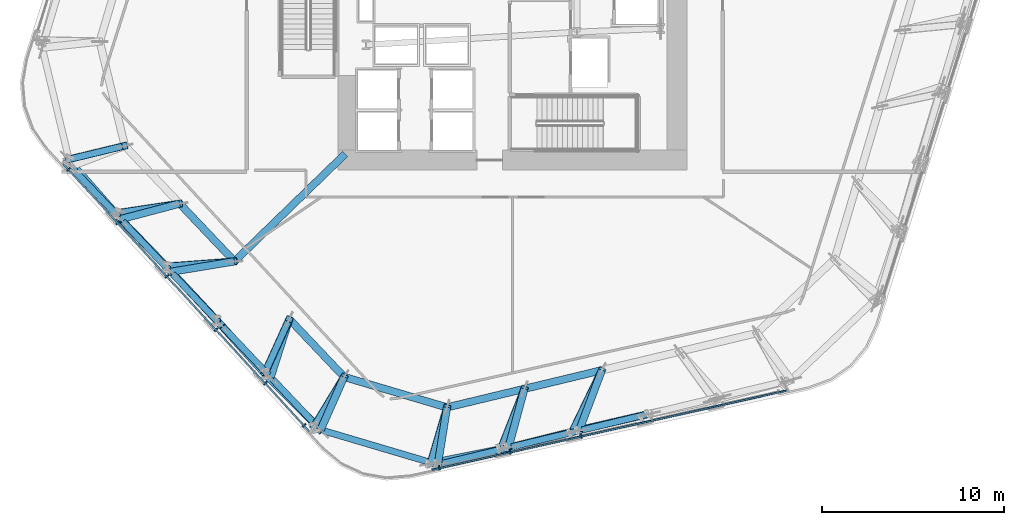
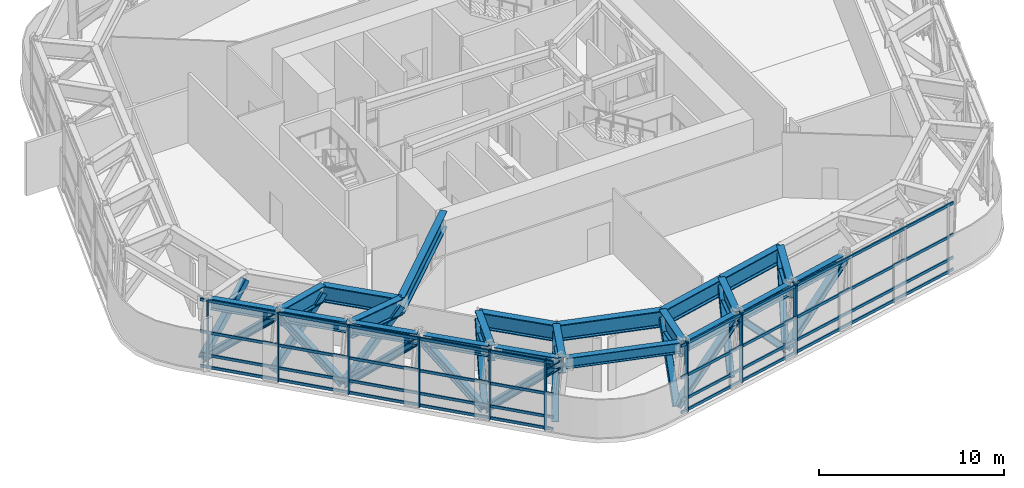
# One storey, part 2 of 16: 33 members, 22 beams, 2 elements without a shape of their own.
"""IFC4 building model written with IfcOpenShell, lengths in metres."""

from ifc_helpers import new_model, si_unit, direction, frame, origin, origin_2d, place, context, subcontext, project, spatial, rectangle, hollow_rectangle, i_section, extrude, material, layer, layer_set, material_profile, profile_set, type_object, element, aggregate, save


model = new_model("IFC4")

# Units and contexts
model_context = context("Model", 3, precision=1e-05, world=origin(), true_north=direction((0.0, 1.0)))
body_context = subcontext(model_context, "Body", "Model", "MODEL_VIEW")
ifc_project = project(units=[si_unit("LENGTHUNIT", "METRE"), si_unit("AREAUNIT", "SQUARE_METRE"), si_unit("VOLUMEUNIT", "CUBIC_METRE"), si_unit("PLANEANGLEUNIT", "RADIAN"), si_unit("MASSUNIT", "GRAM", prefix="KILO")], contexts=[model_context])

# Site, building, storey
site_placement = place(None, origin())
site = spatial("IfcSite", under=ifc_project, at=site_placement, CompositionType="ELEMENT")
building_placement = place(site_placement, origin())
building = spatial("IfcBuilding", under=site, at=building_placement, Name="Valkerne Bourse Tower", CompositionType="ELEMENT")
storey_placement = place(building_placement, frame((0.0, 0.0, 77.199951171875)))
storey = spatial("IfcBuildingStorey", under=building, at=storey_placement, Name="L19", CompositionType="ELEMENT", Elevation=77.199951171875)

# Beams
ifc_material_1 = material(Name="Steel ASTM A992", Category="steel")
ifc_material_profile_1 = material_profile(ifc_material_1, i_section(OverallWidth=0.358154296875, OverallDepth=0.7060546875, WebThickness=0.018310546875, FlangeThickness=0.0302734375, FilletRadius=0.02294921875, at=origin_2d()), Name="W27X178")
ifc_profile_set_1 = profile_set([ifc_material_profile_1], Name="Steel ASTM A992")
beam_type_1 = type_object("IfcBeamType", Name="BM-W27X178", PredefinedType="SPANDREL", material=ifc_profile_set_1)
beam_1_placement = place(storey_placement, frame((22.60791015625, 17.58056640625, 4.22705078125), z_axis=(0.68836855584, -0.725361104093, 0.0), x_axis=(0.725361104093, 0.68836855584, 0.0)))
element("IfcBeam", 1, at=beam_1_placement, inside=storey, type_object=beam_type_1, Name="L19 Hexagonal Spandrel Ring Beam 18", PredefinedType="SPANDREL", context=body_context, shape_type="SweptSolid", body=[
    extrude(i_section(OverallWidth=0.358154296875, OverallDepth=0.7060546875, WebThickness=0.018310546875, FlangeThickness=0.0302734375, FilletRadius=0.02294921875, at=origin_2d()), origin(), (0.0, 0.0, 1.0), 3.65625),
])
for number, where, z_axis, x_axis, name in (
    (2, (25.358642578125, 14.681884765625, 4.22705078125), (0.688333420598, -0.725394445863, 0.0), (0.725394445863, 0.688333420598, 0.0), "L19 Hexagonal Spandrel Ring Beam 19"),
    (3, (28.109375, 11.783203125, 4.22705078125), (0.688366763937, -0.725362804607, 0.0), (0.725362804607, 0.688366763937, 0.0), "L19 Hexagonal Spandrel Ring Beam 20"),
    (4, (30.860107421875, 8.884765625, 4.22705078125), (0.688333420598, -0.725394445863, 0.0), (0.725394445863, 0.688333420598, 0.0), "L19 Hexagonal Spandrel Ring Beam 21"),
    (5, (33.610595703125, 5.986083984375, 4.22705078125), (0.688333420598, -0.725394445863, 0.0), (0.725394445863, 0.688333420598, 0.0), "L19 Hexagonal Spandrel Ring Beam 22"),
):
    element("IfcBeam", number, at=place(storey_placement, frame(where, z_axis=z_axis, x_axis=x_axis)), inside=storey, type_object=beam_type_1, Name=name, PredefinedType="SPANDREL", context=body_context, shape_type="SweptSolid", body=[
        extrude(i_section(OverallWidth=0.358154296875, OverallDepth=0.7060546875, WebThickness=0.018310546875, FlangeThickness=0.0302734375, FilletRadius=0.02294921875, at=origin_2d()), origin(), (0.0, 0.0, 1.0), 3.656005859375),
    ])
beam_2_placement = place(storey_placement, frame((36.4072265625, 3.16259765625, 4.22705078125), z_axis=(0.958815458108, -0.284029782405, 0.0), x_axis=(0.284029782405, 0.958815458108, 0.0)))
element("IfcBeam", 6, at=beam_2_placement, inside=storey, type_object=beam_type_1, Name="L19 Hexagonal Spandrel Ring Beam 23", PredefinedType="SPANDREL", context=body_context, shape_type="SweptSolid", body=[
    extrude(i_section(OverallWidth=0.358154296875, OverallDepth=0.7060546875, WebThickness=0.018310546875, FlangeThickness=0.0302734375, FilletRadius=0.02294921875, at=origin_2d()), origin(), (0.0, 0.0, 1.0), 6.38916015625),
])
for number, where, z_axis, x_axis, name in (
    (7, (42.861572265625, 1.33935546875, 4.22705078125), (0.972366688683, 0.233458824506, 0.0), (-0.233458824506, 0.972366688683, 0.0), "L19 Hexagonal Spandrel Ring Beam 24"),
    (8, (46.7470703125, 2.272216796875, 4.22705078125), (0.972366688683, 0.233458824506, 0.0), (-0.233458824506, 0.972366688683, 0.0), "L19 Hexagonal Spandrel Ring Beam 25"),
    (9, (50.6328125, 3.205078125, 4.22705078125), (0.972366688683, 0.233458824506, 0.0), (-0.233458824506, 0.972366688683, 0.0), "L19 Hexagonal Spandrel Ring Beam 26"),
):
    element("IfcBeam", number, at=place(storey_placement, frame(where, z_axis=z_axis, x_axis=x_axis)), inside=storey, type_object=beam_type_1, Name=name, PredefinedType="SPANDREL", context=body_context, shape_type="SweptSolid", body=[
        extrude(i_section(OverallWidth=0.358154296875, OverallDepth=0.7060546875, WebThickness=0.018310546875, FlangeThickness=0.0302734375, FilletRadius=0.02294921875, at=origin_2d()), origin(), (0.0, 0.0, 1.0), 3.656005859375),
    ])
ifc_material_2 = material(Name="Steel ASTM A913 Grade 65", Category="steel")
ifc_material_profile_2 = material_profile(ifc_material_2, i_section(OverallWidth=0.408935546875, OverallDepth=1.06689453125, WebThickness=0.031005859375, FlangeThickness=0.055908203125, FilletRadius=0.030517578125, at=origin_2d()), Name="W40X397")
ifc_profile_set_2 = profile_set([ifc_material_profile_2], Name="Steel ASTM A913 Grade 65")
beam_type_2 = type_object("IfcBeamType", Name="BM-W40X397", PredefinedType="BEAM", material=ifc_profile_set_2)
beam_3_placement = place(storey_placement, frame((25.24169921875, 14.80517578125, 4.046630859375), z_axis=(0.966744906892, 0.255742614749, 0.0), x_axis=(-0.255742614749, 0.966744906892, 0.0)))
element("IfcBeam", 10, at=beam_3_placement, inside=storey, type_object=beam_type_2, Name="L19 Radial Setback Transfer Girder Out 16", PredefinedType="BEAM", context=body_context, shape_type="SweptSolid", body=[
    extrude(i_section(OverallWidth=0.408935546875, OverallDepth=1.06689453125, WebThickness=0.031005859375, FlangeThickness=0.055908203125, FilletRadius=0.030517578125, at=origin_2d()), origin(), (0.0, 0.0, 1.0), 3.3564453125),
])
beam_4_placement = place(storey_placement, frame((28.486572265625, 15.66357421875, 4.046630859375), z_axis=(0.68831455192, -0.725412350057, 0.0), x_axis=(0.725412350057, 0.68831455192, 0.0)))
element("IfcBeam", 11, at=beam_4_placement, inside=storey, type_object=beam_type_2, Name="L19 Setback Ring Transfer Girder 16", PredefinedType="BEAM", context=body_context, shape_type="SweptSolid", body=[
    extrude(i_section(OverallWidth=0.408935546875, OverallDepth=1.06689453125, WebThickness=0.031005859375, FlangeThickness=0.055908203125, FilletRadius=0.030517578125, at=origin_2d()), origin(), (0.0, 0.0, 1.0), 4.383056640625),
])
beam_5_placement = place(storey_placement, frame((27.9921875, 11.906494140625, 4.046630859375), z_axis=(0.986736653088, 0.162329225505, 0.0), x_axis=(-0.162329225505, 0.986736653088, 0.0)))
element("IfcBeam", 12, at=beam_5_placement, inside=storey, type_object=beam_type_2, Name="L19 Radial Setback Transfer Girder Out 17", PredefinedType="BEAM", context=body_context, shape_type="SweptSolid", body=[
    extrude(i_section(OverallWidth=0.408935546875, OverallDepth=1.06689453125, WebThickness=0.031005859375, FlangeThickness=0.055908203125, FilletRadius=0.030517578125, at=origin_2d()), origin(), (0.0, 0.0, 1.0), 3.558349609375),
])
beam_6_placement = place(storey_placement, frame((31.50341796875, 12.484130859375, 4.046630859375), z_axis=(0.717674468256, 0.696378745808, 0.0), x_axis=(-0.696378745808, 0.717674468256, 0.0)))
element("IfcBeam", 13, at=beam_6_placement, inside=storey, type_object=beam_type_2, Name="L19 Radial Setback Transfer Girder In 17", PredefinedType="BEAM", context=body_context, shape_type="SweptSolid", body=[
    extrude(i_section(OverallWidth=0.408935546875, OverallDepth=1.06689453125, WebThickness=0.031005859375, FlangeThickness=0.055908203125, FilletRadius=0.030517578125, at=origin_2d()), origin(), (0.0, 0.0, 1.0), 8.4951171875),
])
beam_7_placement = place(storey_placement, frame((33.49365234375, 6.109375, 4.046630859375), z_axis=(0.305931481229, 0.952053532525, 0.0), x_axis=(-0.952053532525, 0.305931481229, 0.0)))
element("IfcBeam", 14, at=beam_7_placement, inside=storey, type_object=beam_type_2, Name="L19 Radial Setback Transfer Girder Out 18", PredefinedType="BEAM", context=body_context, shape_type="SweptSolid", body=[
    extrude(i_section(OverallWidth=0.408935546875, OverallDepth=1.06689453125, WebThickness=0.031005859375, FlangeThickness=0.055908203125, FilletRadius=0.030517578125, at=origin_2d()), origin(), (0.0, 0.0, 1.0), 3.3564453125),
])
beam_8_placement = place(storey_placement, frame((34.5205078125, 9.304931640625, 4.046630859375), z_axis=(0.688343862122, -0.725384537661, 0.0), x_axis=(0.725384537661, 0.688343862122, 0.0)))
element("IfcBeam", 15, at=beam_8_placement, inside=storey, type_object=beam_type_2, Name="L19 Setback Ring Transfer Girder 18", PredefinedType="BEAM", context=body_context, shape_type="SweptSolid", body=[
    extrude(i_section(OverallWidth=0.408935546875, OverallDepth=1.06689453125, WebThickness=0.031005859375, FlangeThickness=0.055908203125, FilletRadius=0.030517578125, at=origin_2d()), origin(), (0.0, 0.0, 1.0), 4.383056640625),
])
beam_9_placement = place(storey_placement, frame((36.244384765625, 3.210693359375, 4.046630859375), z_axis=(0.405548775387, 0.914073405577, 0.0), x_axis=(-0.914073405577, 0.405548775387, 0.0)))
element("IfcBeam", 16, at=beam_9_placement, inside=storey, type_object=beam_type_2, Name="L19 Radial Setback Transfer Girder Out 19", PredefinedType="BEAM", context=body_context, shape_type="SweptSolid", body=[
    extrude(i_section(OverallWidth=0.408935546875, OverallDepth=1.06689453125, WebThickness=0.031005859375, FlangeThickness=0.055908203125, FilletRadius=0.030517578125, at=origin_2d()), origin(), (0.0, 0.0, 1.0), 3.188720703125),
])
beam_10_placement = place(storey_placement, frame((37.53759765625, 6.12548828125, 4.046630859375), z_axis=(0.958818549587, -0.284019346117, 0.0), x_axis=(0.284019346117, 0.958818549587, 0.0)))
element("IfcBeam", 17, at=beam_10_placement, inside=storey, type_object=beam_type_2, Name="L19 Setback Ring Transfer Girder 19", PredefinedType="BEAM", context=body_context, shape_type="SweptSolid", body=[
    extrude(i_section(OverallWidth=0.408935546875, OverallDepth=1.06689453125, WebThickness=0.031005859375, FlangeThickness=0.055908203125, FilletRadius=0.030517578125, at=origin_2d()), origin(), (0.0, 0.0, 1.0), 5.904541015625),
])
beam_11_placement = place(storey_placement, frame((42.6962890625, 1.2998046875, 4.046630859375), z_axis=(0.157653044208, 0.987494565885, 0.0), x_axis=(-0.987494565885, 0.157653044208, 0.0)))
element("IfcBeam", 18, at=beam_11_placement, inside=storey, type_object=beam_type_2, Name="L19 Radial Setback Transfer Girder Out 20", PredefinedType="BEAM", context=body_context, shape_type="SweptSolid", body=[
    extrude(i_section(OverallWidth=0.408935546875, OverallDepth=1.06689453125, WebThickness=0.031005859375, FlangeThickness=0.055908203125, FilletRadius=0.030517578125, at=origin_2d()), origin(), (0.0, 0.0, 1.0), 3.1884765625),
])
beam_12_placement = place(storey_placement, frame((43.198974609375, 4.448486328125, 4.046630859375), z_axis=(0.972370614506, 0.23344247267, 0.0), x_axis=(-0.23344247267, 0.972370614506, 0.0)))
element("IfcBeam", 19, at=beam_12_placement, inside=storey, type_object=beam_type_2, Name="L19 Setback Ring Transfer Girder 20", PredefinedType="BEAM", context=body_context, shape_type="SweptSolid", body=[
    extrude(i_section(OverallWidth=0.408935546875, OverallDepth=1.06689453125, WebThickness=0.031005859375, FlangeThickness=0.055908203125, FilletRadius=0.030517578125, at=origin_2d()), origin(), (0.0, 0.0, 1.0), 4.383056640625),
])
beam_13_placement = place(storey_placement, frame((46.581787109375, 2.232421875, 4.046630859375), z_axis=(0.261929339758, 0.965087053573, 0.0), x_axis=(-0.965087053573, 0.261929339758, 0.0)))
element("IfcBeam", 20, at=beam_13_placement, inside=storey, type_object=beam_type_2, Name="L19 Radial Setback Transfer Girder Out 21", PredefinedType="BEAM", context=body_context, shape_type="SweptSolid", body=[
    extrude(i_section(OverallWidth=0.408935546875, OverallDepth=1.06689453125, WebThickness=0.031005859375, FlangeThickness=0.055908203125, FilletRadius=0.030517578125, at=origin_2d()), origin(), (0.0, 0.0, 1.0), 3.3564453125),
])
beam_14_placement = place(storey_placement, frame((47.4609375, 5.4716796875, 4.046630859375), z_axis=(0.972370614506, 0.23344247267, 0.0), x_axis=(-0.23344247267, 0.972370614506, 0.0)))
element("IfcBeam", 21, at=beam_14_placement, inside=storey, type_object=beam_type_2, Name="L19 Setback Ring Transfer Girder 21", PredefinedType="BEAM", context=body_context, shape_type="SweptSolid", body=[
    extrude(i_section(OverallWidth=0.408935546875, OverallDepth=1.06689453125, WebThickness=0.031005859375, FlangeThickness=0.055908203125, FilletRadius=0.030517578125, at=origin_2d()), origin(), (0.0, 0.0, 1.0), 4.383056640625),
])
beam_15_placement = place(storey_placement, frame((50.46728515625, 3.165283203125, 4.046630859375), z_axis=(0.352852146168, 0.93567909186, 0.0), x_axis=(-0.93567909186, 0.352852146168, 0.0)))
element("IfcBeam", 22, at=beam_15_placement, inside=storey, type_object=beam_type_2, Name="L19 Radial Setback Transfer Girder Out 22", PredefinedType="BEAM", context=body_context, shape_type="SweptSolid", body=[
    extrude(i_section(OverallWidth=0.408935546875, OverallDepth=1.06689453125, WebThickness=0.031005859375, FlangeThickness=0.055908203125, FilletRadius=0.030517578125, at=origin_2d()), origin(), (0.0, 0.0, 1.0), 3.55859375),
])

# Curtain wall, members
ifc_material_3 = material(Name="Aluminium AA 6063-T6", Category="aluminium")
ifc_layer = layer(ifc_material_3, 0.25)
ifc_layer_set = layer_set([ifc_layer], Name="Aluminium AA 6063-T6")
curtain_wall_type = type_object("IfcCurtainWallType", Name="CW-06", PredefinedType="NOTDEFINED", material=ifc_layer_set)
curtain_wall_1_placement = place(storey_placement, origin())
curtain_wall_1 = element("IfcCurtainWall", 23, at=curtain_wall_1_placement, inside=storey, type_object=curtain_wall_type, Name="L19 Hexagonal Stick Curtain Wall Face 4", PredefinedType="NOTDEFINED")
ifc_material_profile_3 = material_profile(ifc_material_3, rectangle(XDim=0.090087890625, YDim=0.239990234375, at=origin_2d()), Name="CWM-90X240")
ifc_profile_set_3 = profile_set([ifc_material_profile_3], Name="Aluminium AA 6063-T6")
member_type_1 = type_object("IfcMemberType", Name="CW-MUL-240X90", PredefinedType="MULLION", material=ifc_profile_set_3)
member_1_placement = place(storey_placement, frame((22.382080078125, 17.547607421875, 0.0), z_axis=(0.0, 0.0, 1.0), x_axis=(0.676869473873, -0.73610306027, 0.0)))
member_1 = element("IfcMember", 24, at=member_1_placement, type_object=member_type_1, Name="CW-L19-F4 Jamb Mullion 00A", PredefinedType="MULLION", context=body_context, shape_type="SweptSolid", body=[
    extrude(rectangle(XDim=0.090087890625, YDim=0.239990234375, at=origin_2d()), origin(), (0.0, 0.0, 1.0), 4.580078125),
])
member_2_placement = place(storey_placement, frame((25.0869140625, 14.60595703125, 0.0), z_axis=(0.0, 0.0, 1.0), x_axis=(0.676881942481, -0.736091594805, 0.0)))
member_2 = element("IfcMember", 25, at=member_2_placement, type_object=member_type_1, Name="CW-L19-F4 Jamb Mullion 01A", PredefinedType="MULLION", context=body_context, shape_type="SweptSolid", body=[
    extrude(rectangle(XDim=0.090087890625, YDim=0.239990234375, at=origin_2d()), origin(), (0.0, 0.0, 1.0), 4.580078125),
])
member_3_placement = place(storey_placement, frame((27.79150390625, 11.66455078125, 0.0), z_axis=(0.0, 0.0, 1.0), x_axis=(0.676881942481, -0.736091594805, 0.0)))
member_3 = element("IfcMember", 26, at=member_3_placement, type_object=member_type_1, Name="CW-L19-F4 Jamb Mullion 02A", PredefinedType="MULLION", context=body_context, shape_type="SweptSolid", body=[
    extrude(rectangle(XDim=0.090087890625, YDim=0.239990234375, at=origin_2d()), origin(), (0.0, 0.0, 1.0), 4.580078125),
])
member_4_placement = place(storey_placement, frame((30.496337890625, 8.72314453125, 0.0), z_axis=(0.0, 0.0, 1.0), x_axis=(0.676869473873, -0.73610306027, 0.0)))
member_4 = element("IfcMember", 27, at=member_4_placement, type_object=member_type_1, Name="CW-L19-F4 Jamb Mullion 03A", PredefinedType="MULLION", context=body_context, shape_type="SweptSolid", body=[
    extrude(rectangle(XDim=0.090087890625, YDim=0.239990234375, at=origin_2d()), origin(), (0.0, 0.0, 1.0), 4.580078125),
])
member_5_placement = place(storey_placement, frame((33.201171875, 5.78173828125, 0.0), z_axis=(0.0, 0.0, 1.0), x_axis=(0.676881942481, -0.736091594805, 0.0)))
member_5 = element("IfcMember", 28, at=member_5_placement, type_object=member_type_1, Name="CW-L19-F4 Jamb Mullion 04A", PredefinedType="MULLION", context=body_context, shape_type="SweptSolid", body=[
    extrude(rectangle(XDim=0.090087890625, YDim=0.239990234375, at=origin_2d()), origin(), (0.0, 0.0, 1.0), 4.580078125),
])
member_6_placement = place(storey_placement, frame((35.33740234375, 3.45849609375, 0.0), z_axis=(0.0, 0.0, 1.0), x_axis=(0.676881942481, -0.736091594805, 0.0)))
member_6 = element("IfcMember", 29, at=member_6_placement, type_object=member_type_1, Name="CW-L19-F4 Jamb Mullion 04B", PredefinedType="MULLION", context=body_context, shape_type="SweptSolid", body=[
    extrude(rectangle(XDim=0.090087890625, YDim=0.239990234375, at=origin_2d()), origin(), (0.0, 0.0, 1.0), 4.580078125),
])

curtain_wall_2_placement = place(storey_placement, origin())
curtain_wall_2 = element("IfcCurtainWall", 30, at=curtain_wall_2_placement, inside=storey, type_object=curtain_wall_type, Name="L19 Hexagonal Stick Curtain Wall Face 5", PredefinedType="NOTDEFINED")
member_7_placement = place(storey_placement, frame((42.777099609375, 1.127197265625, 0.0), z_axis=(0.0, 0.0, 1.0), x_axis=(0.975916028069, 0.218146524516, 0.0)))
member_7 = element("IfcMember", 31, at=member_7_placement, type_object=member_type_1, Name="CW-L19-F5 Jamb Mullion 00A", PredefinedType="MULLION", context=body_context, shape_type="SweptSolid", body=[
    extrude(rectangle(XDim=0.090087890625, YDim=0.239990234375, at=origin_2d()), origin(), (0.0, 0.0, 1.0), 4.580078125),
])
member_8_placement = place(storey_placement, frame((46.677001953125, 1.998779296875, 0.0), z_axis=(0.0, 0.0, 1.0), x_axis=(0.975917218933, 0.218141196913, 0.0)))
member_8 = element("IfcMember", 32, at=member_8_placement, type_object=member_type_1, Name="CW-L19-F5 Jamb Mullion 01A", PredefinedType="MULLION", context=body_context, shape_type="SweptSolid", body=[
    extrude(rectangle(XDim=0.090087890625, YDim=0.239990234375, at=origin_2d()), origin(), (0.0, 0.0, 1.0), 4.580078125),
])
member_9_placement = place(storey_placement, frame((50.57666015625, 2.87060546875, 0.0), z_axis=(0.0, 0.0, 1.0), x_axis=(0.975916028069, 0.218146524516, 0.0)))
member_9 = element("IfcMember", 33, at=member_9_placement, type_object=member_type_1, Name="CW-L19-F5 Jamb Mullion 02A", PredefinedType="MULLION", context=body_context, shape_type="SweptSolid", body=[
    extrude(rectangle(XDim=0.090087890625, YDim=0.239990234375, at=origin_2d()), origin(), (0.0, 0.0, 1.0), 4.580078125),
])

# Member
ifc_material_profile_4 = material_profile(ifc_material_3, rectangle(XDim=0.090087890625, YDim=0.179931640625, at=origin_2d()), Name="CWT-90X180")
ifc_profile_set_4 = profile_set([ifc_material_profile_4], Name="Aluminium AA 6063-T6")
member_type_2 = type_object("IfcMemberType", Name="CW-TRN-180X90", PredefinedType="USERDEFINED", material=ifc_profile_set_4)
member_10_placement = place(storey_placement, frame((22.0830078125, 17.843017578125, 0.1201171875), z_axis=(0.676879150451, -0.736094162241, 0.0), x_axis=(0.736094162241, 0.676879150451, 0.0)))
member_10 = element("IfcMember", 34, at=member_10_placement, type_object=member_type_2, Name="CW-L19-F4 Continuous Face Transom 1", ObjectType="TRANSOM", PredefinedType="USERDEFINED", context=body_context, shape_type="SweptSolid", body=[
    extrude(rectangle(XDim=0.090087890625, YDim=0.179931640625, at=origin_2d()), origin(), (0.0, 0.0, 1.0), 19.979736328125),
])

member_11_placement = place(storey_placement, frame((22.0830078125, 17.843017578125, 0.900146484375), z_axis=(0.676879150451, -0.736094162241, 0.0), x_axis=(0.736094162241, 0.676879150451, 0.0)))
member_11 = element("IfcMember", 35, at=member_11_placement, type_object=member_type_2, Name="CW-L19-F4 Continuous Face Transom 2", ObjectType="TRANSOM", PredefinedType="USERDEFINED", context=body_context, shape_type="SweptSolid", body=[
    extrude(rectangle(XDim=0.090087890625, YDim=0.179931640625, at=origin_2d()), origin(), (0.0, 0.0, 1.0), 19.979736328125),
])

member_12_placement = place(storey_placement, frame((22.0830078125, 17.843017578125, 2.400146484375), z_axis=(0.676879150451, -0.736094162241, 0.0), x_axis=(0.736094162241, 0.676879150451, 0.0)))
member_12 = element("IfcMember", 36, at=member_12_placement, type_object=member_type_2, Name="CW-L19-F4 Continuous Face Transom 3", ObjectType="TRANSOM", PredefinedType="USERDEFINED", context=body_context, shape_type="SweptSolid", body=[
    extrude(rectangle(XDim=0.090087890625, YDim=0.179931640625, at=origin_2d()), origin(), (0.0, 0.0, 1.0), 19.979736328125),
])

member_13_placement = place(storey_placement, frame((22.0830078125, 17.843017578125, 4.5), z_axis=(0.676879150451, -0.736094162241, 0.0), x_axis=(0.736094162241, 0.676879150451, 0.0)))
member_13 = element("IfcMember", 37, at=member_13_placement, type_object=member_type_2, Name="CW-L19-F4 Continuous Face Transom 4", ObjectType="TRANSOM", PredefinedType="USERDEFINED", context=body_context, shape_type="SweptSolid", body=[
    extrude(rectangle(XDim=0.090087890625, YDim=0.179931640625, at=origin_2d()), origin(), (0.0, 0.0, 1.0), 19.979736328125),
])

aggregate(curtain_wall_1, [member_10, member_11, member_12, member_13, member_1, member_2, member_3, member_4, member_5, member_6])

member_14_placement = place(storey_placement, frame((42.37158203125, 1.01611328125, 0.1201171875), z_axis=(0.975917775443, 0.218138707191, 0.0), x_axis=(-0.218138707191, 0.975917775443, 0.0)))
member_14 = element("IfcMember", 38, at=member_14_placement, type_object=member_type_2, Name="CW-L19-F5 Continuous Face Transom 1", ObjectType="TRANSOM", PredefinedType="USERDEFINED", context=body_context, shape_type="SweptSolid", body=[
    extrude(rectangle(XDim=0.090087890625, YDim=0.179931640625, at=origin_2d()), origin(), (0.0, 0.0, 1.0), 19.97998046875),
])

member_15_placement = place(storey_placement, frame((42.37158203125, 1.01611328125, 0.900146484375), z_axis=(0.975917775443, 0.218138707191, 0.0), x_axis=(-0.218138707191, 0.975917775443, 0.0)))
member_15 = element("IfcMember", 39, at=member_15_placement, type_object=member_type_2, Name="CW-L19-F5 Continuous Face Transom 2", ObjectType="TRANSOM", PredefinedType="USERDEFINED", context=body_context, shape_type="SweptSolid", body=[
    extrude(rectangle(XDim=0.090087890625, YDim=0.179931640625, at=origin_2d()), origin(), (0.0, 0.0, 1.0), 19.97998046875),
])

member_16_placement = place(storey_placement, frame((42.37158203125, 1.01611328125, 2.400146484375), z_axis=(0.975917775443, 0.218138707191, 0.0), x_axis=(-0.218138707191, 0.975917775443, 0.0)))
member_16 = element("IfcMember", 40, at=member_16_placement, type_object=member_type_2, Name="CW-L19-F5 Continuous Face Transom 3", ObjectType="TRANSOM", PredefinedType="USERDEFINED", context=body_context, shape_type="SweptSolid", body=[
    extrude(rectangle(XDim=0.090087890625, YDim=0.179931640625, at=origin_2d()), origin(), (0.0, 0.0, 1.0), 19.97998046875),
])

member_17_placement = place(storey_placement, frame((42.37158203125, 1.01611328125, 4.5), z_axis=(0.975917775443, 0.218138707191, 0.0), x_axis=(-0.218138707191, 0.975917775443, 0.0)))
member_17 = element("IfcMember", 41, at=member_17_placement, type_object=member_type_2, Name="CW-L19-F5 Continuous Face Transom 4", ObjectType="TRANSOM", PredefinedType="USERDEFINED", context=body_context, shape_type="SweptSolid", body=[
    extrude(rectangle(XDim=0.090087890625, YDim=0.179931640625, at=origin_2d()), origin(), (0.0, 0.0, 1.0), 19.97998046875),
])

aggregate(curtain_wall_2, [member_14, member_15, member_16, member_17, member_7, member_8, member_9])

# Members
ifc_material_4 = material(Name="Steel ASTM A500 Grade C", Category="steel")
ifc_material_profile_5 = material_profile(ifc_material_4, hollow_rectangle(XDim=0.39990234375, YDim=0.39990234375, WallThickness=0.01611328125, OuterFilletRadius=0.031982421875, at=origin_2d()), Name="HSS400X400X16")
ifc_profile_set_5 = profile_set([ifc_material_profile_5], Name="Steel ASTM A500 Grade C")
member_type_3 = type_object("IfcMemberType", Name="MBR-HSS400X400X16", PredefinedType="BRACE", material=ifc_profile_set_5)
member_18_placement = place(storey_placement, frame((22.347900390625, 18.0869140625, 0.35009765625), z_axis=(0.637456517437, 0.154353619426, 0.754866974074), x_axis=(-0.235338946062, 0.971913360576, 0.0)))
element("IfcMember", 42, at=member_18_placement, inside=storey, type_object=member_type_3, Name="L19 Setback Outrigger Knee Strut 15", PredefinedType="BRACE", context=body_context, shape_type="SweptSolid", body=[
    extrude(hollow_rectangle(XDim=0.39990234375, YDim=0.39990234375, WallThickness=0.01611328125, OuterFilletRadius=0.031982421875, at=origin_2d()), origin(), (0.0, 0.0, 1.0), 4.89697265625),
])
member_19_placement = place(storey_placement, frame((25.052734375, 15.145263671875, 0.35009765625), z_axis=(0.677030852047, 0.102192427934, 0.728825035965), x_axis=(-0.149251395423, 0.988799282445, 0.0)))
element("IfcMember", 43, at=member_19_placement, inside=storey, type_object=member_type_3, Name="L19 Setback Outrigger Knee Strut 16", PredefinedType="BRACE", context=body_context, shape_type="SweptSolid", body=[
    extrude(hollow_rectangle(XDim=0.39990234375, YDim=0.39990234375, WallThickness=0.01611328125, OuterFilletRadius=0.031982421875, at=origin_2d()), origin(), (0.0, 0.0, 1.0), 5.072021484375),
])
member_20_placement = place(storey_placement, frame((27.757568359375, 12.203857421875, 0.35009765625), z_axis=(0.710769485063, 0.053181474865, 0.701411769102), x_axis=(-0.0746138274, 0.997212503311, 0.0)))
element("IfcMember", 44, at=member_20_placement, inside=storey, type_object=member_type_3, Name="L19 Setback Outrigger Knee Strut 17", PredefinedType="BRACE", context=body_context, shape_type="SweptSolid", body=[
    extrude(hollow_rectangle(XDim=0.39990234375, YDim=0.39990234375, WallThickness=0.01611328125, OuterFilletRadius=0.031982421875, at=origin_2d()), origin(), (0.0, 0.0, 1.0), 5.27001953125),
])
member_21_placement = place(storey_placement, frame((33.167236328125, 6.321044921875, 0.35009765625), z_axis=(0.273965838475, 0.604079104789, 0.748352293046), x_axis=(-0.910715758083, 0.413033664462, 0.0)))
element("IfcMember", 45, at=member_21_placement, inside=storey, type_object=member_type_3, Name="L19 Setback Outrigger Knee Strut 18", PredefinedType="BRACE", context=body_context, shape_type="SweptSolid", body=[
    extrude(hollow_rectangle(XDim=0.39990234375, YDim=0.39990234375, WallThickness=0.01611328125, OuterFilletRadius=0.031982421875, at=origin_2d()), origin(), (0.0, 0.0, 1.0), 4.939453125),
])
member_22_placement = place(storey_placement, frame((35.8720703125, 3.379638671875, 0.35009765625), z_axis=(0.340130067568, 0.560750933735, 0.754897295962), x_axis=(-0.85500784935, 0.518615057195, 0.0)))
element("IfcMember", 46, at=member_22_placement, inside=storey, type_object=member_type_3, Name="L19 Setback Outrigger Knee Strut 19", PredefinedType="BRACE", context=body_context, shape_type="SweptSolid", body=[
    extrude(hollow_rectangle(XDim=0.39990234375, YDim=0.39990234375, WallThickness=0.01611328125, OuterFilletRadius=0.031982421875, at=origin_2d()), origin(), (0.0, 0.0, 1.0), 4.896728515625),
])
member_23_placement = place(storey_placement, frame((42.293212890625, 1.3671875, 0.35009765625), z_axis=(0.184968143791, 0.629240685388, 0.754879424567), x_axis=(-0.959407856801, 0.282022276264, 0.0)))
element("IfcMember", 47, at=member_23_placement, inside=storey, type_object=member_type_3, Name="L19 Setback Outrigger Knee Strut 20", PredefinedType="BRACE", context=body_context, shape_type="SweptSolid", body=[
    extrude(hollow_rectangle(XDim=0.39990234375, YDim=0.39990234375, WallThickness=0.01611328125, OuterFilletRadius=0.031982421875, at=origin_2d()), origin(), (0.0, 0.0, 1.0), 4.89697265625),
])
member_24_placement = place(storey_placement, frame((46.19287109375, 2.239013671875, 0.35009765625), z_axis=(0.250026234768, 0.637388789865, 0.728850061729), x_axis=(-0.930938520928, 0.365175944241, 0.0)))
element("IfcMember", 48, at=member_24_placement, inside=storey, type_object=member_type_3, Name="L19 Setback Outrigger Knee Strut 21", PredefinedType="BRACE", context=body_context, shape_type="SweptSolid", body=[
    extrude(hollow_rectangle(XDim=0.39990234375, YDim=0.39990234375, WallThickness=0.01611328125, OuterFilletRadius=0.031982421875, at=origin_2d()), origin(), (0.0, 0.0, 1.0), 5.07177734375),
])
member_25_placement = place(storey_placement, frame((50.092529296875, 3.110595703125, 0.35009765625), z_axis=(0.309352174129, 0.642144330305, 0.701392822475), x_axis=(-0.90090756336, 0.434011016312, 0.0)))
element("IfcMember", 49, at=member_25_placement, inside=storey, type_object=member_type_3, Name="L19 Setback Outrigger Knee Strut 22", PredefinedType="BRACE", context=body_context, shape_type="SweptSolid", body=[
    extrude(hollow_rectangle(XDim=0.39990234375, YDim=0.39990234375, WallThickness=0.01611328125, OuterFilletRadius=0.031982421875, at=origin_2d()), origin(), (0.0, 0.0, 1.0), 5.270263671875),
])
ifc_material_profile_6 = material_profile(ifc_material_2, i_section(OverallWidth=0.408935546875, OverallDepth=0.42431640625, WebThickness=0.03271484375, FlangeThickness=0.052490234375, FilletRadius=0.025390625, at=origin_2d()), Name="W14X283")
ifc_profile_set_6 = profile_set([ifc_material_profile_6], Name="Steel ASTM A913 Grade 65")
member_type_4 = type_object("IfcMemberType", Name="MBR-W14X283", PredefinedType="BRACE", material=ifc_profile_set_6)
member_26_placement = place(storey_placement, frame((22.347900390625, 18.0869140625, 0.35009765625), z_axis=(0.494848197513, -0.561186996622, 0.663471488642), x_axis=(0.750047877372, 0.661383535968, 0.0)))
element("IfcMember", 50, at=member_26_placement, inside=storey, type_object=member_type_4, Name="L19 Perimeter Belt Truss Diagonal 18", PredefinedType="BRACE", context=body_context, shape_type="SweptSolid", body=[
    extrude(i_section(OverallWidth=0.408935546875, OverallDepth=0.42431640625, WebThickness=0.03271484375, FlangeThickness=0.052490234375, FilletRadius=0.025390625, at=origin_2d()), origin(), (0.0, 0.0, 1.0), 5.847900390625),
])
member_27_placement = place(storey_placement, frame((27.757568359375, 12.203857421875, 0.35009765625), z_axis=(-0.474186592115, 0.490291910625, 0.731273490723), x_axis=(-0.718814175149, -0.695202259494, 0.0)))
element("IfcMember", 51, at=member_27_placement, inside=storey, type_object=member_type_4, Name="L19 Perimeter Belt Truss Diagonal 19", PredefinedType="BRACE", context=body_context, shape_type="SweptSolid", body=[
    extrude(i_section(OverallWidth=0.408935546875, OverallDepth=0.42431640625, WebThickness=0.03271484375, FlangeThickness=0.052490234375, FilletRadius=0.025390625, at=origin_2d()), origin(), (0.0, 0.0, 1.0), 5.3056640625),
])
member_28_placement = place(storey_placement, frame((27.757568359375, 12.203857421875, 0.35009765625), z_axis=(0.510641465488, -0.546638598564, 0.663650161067), x_axis=(0.730758169219, 0.682636431872, 0.0)))
element("IfcMember", 52, at=member_28_placement, inside=storey, type_object=member_type_4, Name="L19 Perimeter Belt Truss Diagonal 20", PredefinedType="BRACE", context=body_context, shape_type="SweptSolid", body=[
    extrude(i_section(OverallWidth=0.408935546875, OverallDepth=0.42431640625, WebThickness=0.03271484375, FlangeThickness=0.052490234375, FilletRadius=0.025390625, at=origin_2d()), origin(), (0.0, 0.0, 1.0), 5.84619140625),
])
member_29_placement = place(storey_placement, frame((33.167236328125, 6.321044921875, 0.35009765625), z_axis=(-0.456923692745, 0.506435263077, 0.731261966275), x_axis=(-0.742468403014, -0.669881086855, 0.0)))
element("IfcMember", 53, at=member_29_placement, inside=storey, type_object=member_type_4, Name="L19 Perimeter Belt Truss Diagonal 21", PredefinedType="BRACE", context=body_context, shape_type="SweptSolid", body=[
    extrude(i_section(OverallWidth=0.408935546875, OverallDepth=0.42431640625, WebThickness=0.03271484375, FlangeThickness=0.052490234375, FilletRadius=0.025390625, at=origin_2d()), origin(), (0.0, 0.0, 1.0), 5.3056640625),
])
member_30_placement = place(storey_placement, frame((33.167236328125, 6.321044921875, 0.35009765625), z_axis=(0.526207283884, -0.531885179045, 0.663478749245), x_axis=(0.710890995229, 0.703302205955, 0.0)))
element("IfcMember", 54, at=member_30_placement, inside=storey, type_object=member_type_4, Name="L19 Perimeter Belt Truss Diagonal 22", PredefinedType="BRACE", context=body_context, shape_type="SweptSolid", body=[
    extrude(i_section(OverallWidth=0.408935546875, OverallDepth=0.42431640625, WebThickness=0.03271484375, FlangeThickness=0.052490234375, FilletRadius=0.025390625, at=origin_2d()), origin(), (0.0, 0.0, 1.0), 5.847900390625),
])
member_31_placement = place(storey_placement, frame((42.293212890625, 1.3671875, 0.35009765625), z_axis=(0.733395161337, 0.147964957974, 0.663504264145), x_axis=(-0.197768506259, 0.980248753089, 0.0)))
element("IfcMember", 55, at=member_31_placement, inside=storey, type_object=member_type_4, Name="L19 Perimeter Belt Truss Diagonal 24", PredefinedType="BRACE", context=body_context, shape_type="SweptSolid", body=[
    extrude(i_section(OverallWidth=0.408935546875, OverallDepth=0.42431640625, WebThickness=0.03271484375, FlangeThickness=0.052490234375, FilletRadius=0.025390625, at=origin_2d()), origin(), (0.0, 0.0, 1.0), 5.84765625),
])
member_32_placement = place(storey_placement, frame((50.092529296875, 3.110595703125, 0.35009765625), z_axis=(-0.661697983053, -0.165516526081, 0.731272903107), x_axis=(0.242662611193, -0.970110744776, 0.0)))
element("IfcMember", 56, at=member_32_placement, inside=storey, type_object=member_type_4, Name="L19 Perimeter Belt Truss Diagonal 25", PredefinedType="BRACE", context=body_context, shape_type="SweptSolid", body=[
    extrude(i_section(OverallWidth=0.408935546875, OverallDepth=0.42431640625, WebThickness=0.03271484375, FlangeThickness=0.052490234375, FilletRadius=0.025390625, at=origin_2d()), origin(), (0.0, 0.0, 1.0), 5.3056640625),
])
member_33_placement = place(storey_placement, frame((50.092529296875, 3.110595703125, 0.35009765625), z_axis=(0.728736651228, 0.168915234326, 0.663634339655), x_axis=(-0.225805260768, 0.974172461225, 0.0)))
element("IfcMember", 57, at=member_33_placement, inside=storey, type_object=member_type_4, Name="L19 Perimeter Belt Truss Diagonal 26", PredefinedType="BRACE", context=body_context, shape_type="SweptSolid", body=[
    extrude(i_section(OverallWidth=0.408935546875, OverallDepth=0.42431640625, WebThickness=0.03271484375, FlangeThickness=0.052490234375, FilletRadius=0.025390625, at=origin_2d()), origin(), (0.0, 0.0, 1.0), 5.846435546875),
])

save(model, "model.ifc")
